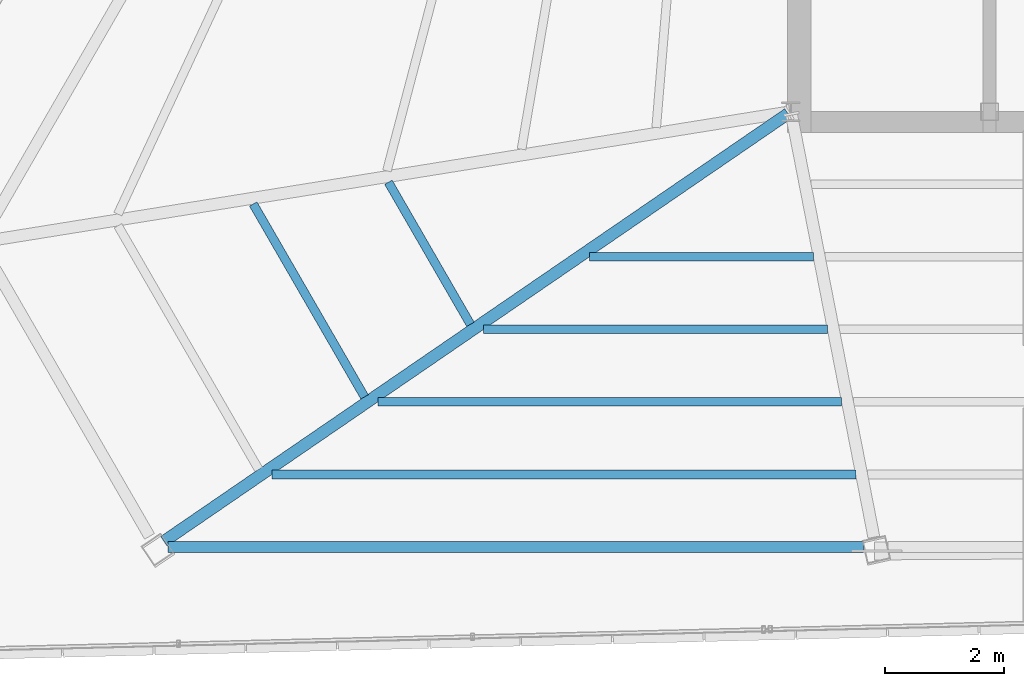
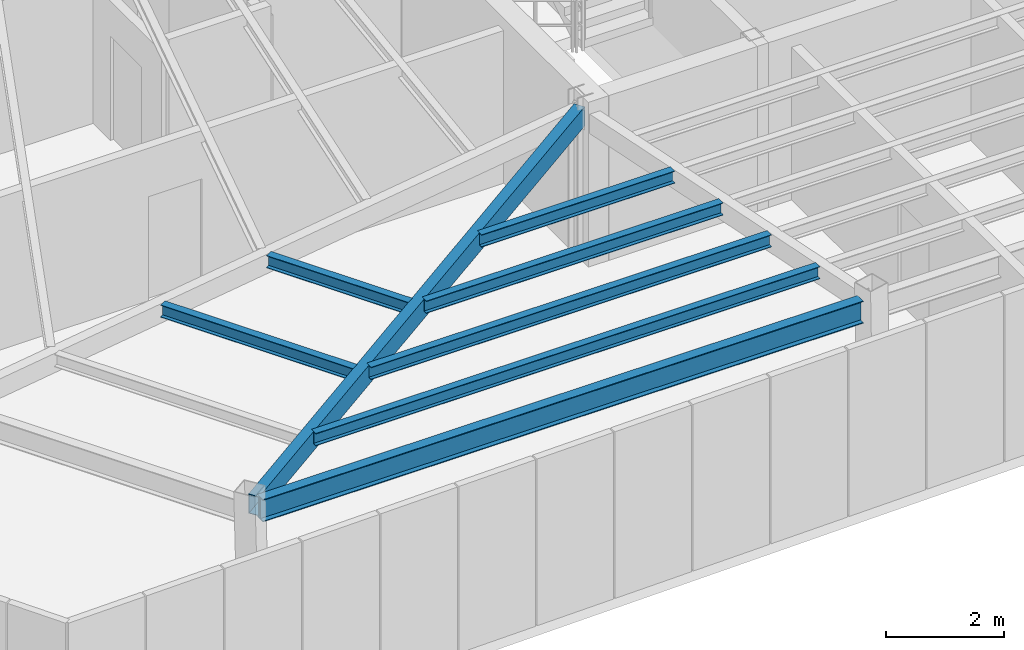
# One storey, part 6 of 44: 8 beams.
"""IFC4 building model written with IfcOpenShell, lengths in metres."""

import ifcopenshell
import ifcopenshell.guid

model = None  # the IFC model being written
_history = None  # IfcOwnerHistory: only IFC2X3 demands one
_inside = {}  # id of a spatial element -> (the spatial element, [elements in it])
_under = {}  # id of a project, library or spatial element -> (it, [spatial elements below it])
_declared = {}  # id of a project -> (the project, [libraries it declares])
_typed = {}  # id of a type object -> (the type object, [elements of that type])
_made_of = {}  # id of a material, layer set ... -> (it, [elements and type objects made of it])


def new_model(schema):
    """Start an empty IFC model of exactly this schema.

    Asked for "IFC4X3", IfcOpenShell would pick the latest addendum, in which some entities
    have other attributes; the version numbers below select the first issue.
    IFC2X3 requires an IfcOwnerHistory on every rooted entity: one is made here for all.
    """
    global model, _history
    if schema == "IFC4X3":
        model = ifcopenshell.file(schema_version=(4, 3, 0, 0))
    else:
        model = ifcopenshell.file(schema=schema)
    _inside.clear()
    _under.clear()
    _declared.clear()
    _typed.clear()
    _made_of.clear()
    _history = None
    if model.schema == "IFC2X3":
        org = make("IfcOrganization", Name="unknown")
        user = make(
            "IfcPersonAndOrganization",
            ThePerson=make("IfcPerson", FamilyName="unknown"),
            TheOrganization=org,
        )
        app = make(
            "IfcApplication",
            ApplicationDeveloper=org,
            Version="unknown",
            ApplicationFullName="unknown",
            ApplicationIdentifier="unknown",
        )
        _history = make(
            "IfcOwnerHistory",
            OwningUser=user,
            OwningApplication=app,
            ChangeAction="ADDED",
            CreationDate=0,
        )
    return model


def make(cls, **values):
    """One entity of the class cls with the attributes given. An attribute that is None is left unset."""
    return model.create_entity(
        cls, **{name: value for name, value in values.items() if value is not None}
    )


def rooted(cls, **values):
    """An entity with a GlobalId (a new one), such as an element, a storey or a relation."""
    return make(cls, GlobalId=ifcopenshell.guid.new(), OwnerHistory=_history, **values)


def si_unit(unit_type, name, prefix=None):
    """IfcSIUnit, for example si_unit("LENGTHUNIT", "METRE", prefix="MILLI")."""
    return make("IfcSIUnit", UnitType=unit_type, Prefix=prefix, Name=name)


def assignment(units):
    """IfcUnitAssignment: the units of a project."""
    return None if units is None else make("IfcUnitAssignment", Units=units)


def point(xyz):
    """IfcCartesianPoint."""
    return None if xyz is None else make("IfcCartesianPoint", Coordinates=xyz)


def direction(xyz):
    """IfcDirection."""
    return None if xyz is None else make("IfcDirection", DirectionRatios=xyz)


def frame(location, z_axis=None, x_axis=None):
    """IfcAxis2Placement3D, a coordinate frame: its origin and axes. An axis left out is left unset."""
    return make(
        "IfcAxis2Placement3D",
        Location=point(location),
        Axis=direction(z_axis),
        RefDirection=direction(x_axis),
    )


def frame_2d(location, x_axis=None):
    """IfcAxis2Placement2D, a coordinate frame in the plane: its origin and x axis."""
    return make(
        "IfcAxis2Placement2D", Location=point(location), RefDirection=direction(x_axis)
    )


def origin():
    """The frame at (0, 0, 0) with its axes left unset."""
    return frame((0.0, 0.0, 0.0))


def origin_2d():
    """The frame at (0, 0) in the plane with its x axis left unset."""
    return frame_2d((0.0, 0.0))


def place(relative_to, where):
    """IfcLocalPlacement: puts the frame where relative to a parent placement (None: the world)."""
    return make(
        "IfcLocalPlacement", PlacementRelTo=relative_to, RelativePlacement=where
    )


def context(
    kind, dimensions, precision=None, world=None, true_north=None, identifier=None
):
    """IfcGeometricRepresentationContext, for example the 3D "Model" context."""
    return make(
        "IfcGeometricRepresentationContext",
        ContextIdentifier=identifier,
        ContextType=kind,
        CoordinateSpaceDimension=dimensions,
        Precision=precision,
        WorldCoordinateSystem=world,
        TrueNorth=true_north,
    )


def subcontext(parent, identifier, kind, view, scale=None):
    """IfcGeometricRepresentationSubContext, for example "Body" below "Model"."""
    return make(
        "IfcGeometricRepresentationSubContext",
        ContextIdentifier=identifier,
        ContextType=kind,
        ParentContext=parent,
        TargetScale=scale,
        TargetView=view,
    )


def project(units=None, contexts=None):
    """IfcProject with its units and contexts."""
    return rooted(
        "IfcProject",
        Name="project",
        RepresentationContexts=contexts,
        UnitsInContext=assignment(units),
    )


def spatial(cls, under=None, at=None, **own):
    """A site, building, storey or space (cls), placed at a placement, below another one or the project."""
    s = rooted(cls, ObjectPlacement=at, **own)
    if under is not None:
        _under.setdefault(under.id(), (under, []))[1].append(s)
    return s


def profile(cls, at=None, kind="AREA", **sizes):
    """A parametric profile (cls). Its sizes go by their IFC names, for example OverallWidth=200.0."""
    return make(cls, ProfileType=kind, Position=at, **sizes)


def hollow_rectangle(**sizes):
    """IfcRectangleHollowProfileDef."""
    return profile("IfcRectangleHollowProfileDef", **sizes)


def i_section(**sizes):
    """IfcIShapeProfileDef."""
    return profile("IfcIShapeProfileDef", **sizes)


def extrude(swept, where, along, depth):
    """IfcExtrudedAreaSolid: the profile swept, set in the frame where, extruded along a direction by depth."""
    return make(
        "IfcExtrudedAreaSolid",
        SweptArea=swept,
        Position=where,
        ExtrudedDirection=direction(along),
        Depth=depth,
    )


def shape(context_of_items, identifier, shape_type, items):
    """IfcShapeRepresentation: the items that make up one representation, for example the "Body"."""
    return make(
        "IfcShapeRepresentation",
        ContextOfItems=context_of_items,
        RepresentationIdentifier=identifier,
        RepresentationType=shape_type,
        Items=items,
    )


def source(mapping_origin, context_of_items, identifier, shape_type, items):
    """IfcRepresentationMap: a shape defined once, which mapped items show again and again."""
    return make(
        "IfcRepresentationMap",
        MappingOrigin=mapping_origin,
        MappedRepresentation=shape(context_of_items, identifier, shape_type, items),
    )


def transform(
    local_origin,
    x_axis=None,
    y_axis=None,
    z_axis=None,
    scale=None,
    scale2=None,
    scale3=None,
    uniform=True,
):
    """IfcCartesianTransformationOperator3D, or its non-uniform kind. x_axis, y_axis, z_axis: its Axis1, 2, 3."""
    if uniform:
        return make(
            "IfcCartesianTransformationOperator3D",
            Axis1=direction(x_axis),
            Axis2=direction(y_axis),
            LocalOrigin=point(local_origin),
            Scale=scale,
            Axis3=direction(z_axis),
        )
    return make(
        "IfcCartesianTransformationOperator3DnonUniform",
        Axis1=direction(x_axis),
        Axis2=direction(y_axis),
        LocalOrigin=point(local_origin),
        Scale=scale,
        Axis3=direction(z_axis),
        Scale2=scale2,
        Scale3=scale3,
    )


def mapped(mapping_source, mapping_target):
    """IfcMappedItem: shows the shape of a source again, moved by a transform."""
    return make(
        "IfcMappedItem", MappingSource=mapping_source, MappingTarget=mapping_target
    )


def material(Name=None, Category=None):
    """IfcMaterial."""
    return make("IfcMaterial", Name=Name, Category=Category)


def material_profile(
    of_material, cross_section, Name=None, Category=None, Priority=None
):
    """IfcMaterialProfile: a cross section and its material."""
    return make(
        "IfcMaterialProfile",
        Name=Name,
        Material=of_material,
        Profile=cross_section,
        Priority=Priority,
        Category=Category,
    )


def profile_set(profiles, Name=None, composite=None):
    """IfcMaterialProfileSet."""
    return make(
        "IfcMaterialProfileSet",
        Name=Name,
        MaterialProfiles=profiles,
        CompositeProfile=composite,
    )


def made_of(thing, what):
    """Note that an element or type object is made of a material, layer set ...; save() writes the relation."""
    if what is not None:
        _made_of.setdefault(what.id(), (what, []))[1].append(thing)
    return thing


def type_object(cls, material=None, **own):
    """A type object (cls), such as IfcWallType, which elements share."""
    return made_of(rooted(cls, **own), material)


def type_shapes(of_type, sources):
    """Give a type object the sources (RepresentationMaps) that its elements show as mapped items."""
    of_type.RepresentationMaps = sources


def element(
    cls,
    number,
    at=None,
    inside=None,
    cuts=None,
    type_object=None,
    material=None,
    context=None,
    identifier="Body",
    shape_type=None,
    held_by="IfcProductDefinitionShape",
    body=None,
    shapes=None,
    **own,
):
    """One element of the class cls, such as IfcWall. Its Tag is "e" and its number.

    at: its placement. inside: the storey or other place that contains it. cuts: it is an
    opening in that element (IfcRelVoidsElement). A single representation is given by context,
    identifier, shape_type and body (its items); several are given by shapes. held_by: the class
    of the entity that holds the representations. save() writes the other relations.
    """
    e = rooted(cls, Tag="e%d" % number, ObjectPlacement=at, **own)
    if body is not None:
        shapes = [shape(context, identifier, shape_type, body)]
    if shapes is not None:
        e.Representation = make(held_by, Representations=shapes)
    if inside is not None:
        _inside.setdefault(inside.id(), (inside, []))[1].append(e)
    if cuts is not None:
        rooted(
            "IfcRelVoidsElement", RelatingBuildingElement=cuts, RelatedOpeningElement=e
        )
    if type_object is not None:
        _typed.setdefault(type_object.id(), (type_object, []))[1].append(e)
    return made_of(e, material)


def aggregate(whole, parts):
    """IfcRelAggregates: a whole, such as a stair, and the parts it consists of."""
    return rooted("IfcRelAggregates", RelatingObject=whole, RelatedObjects=parts)


def save(model, path):
    """Write the relations noted so far, then the file.

    IfcRelAggregates (storeys below a building ...), IfcRelContainedInSpatialStructure (elements
    in a storey), IfcRelDefinesByType, IfcRelAssociatesMaterial and IfcRelDeclares: one each for
    every whole, place, type object, material and project.
    """
    for whole, parts in _under.values():
        aggregate(whole, parts)
    for where, things in _inside.values():
        rooted(
            "IfcRelContainedInSpatialStructure",
            RelatedElements=things,
            RelatingStructure=where,
        )
    for kind, things in _typed.values():
        rooted("IfcRelDefinesByType", RelatedObjects=things, RelatingType=kind)
    for what, things in _made_of.values():
        rooted("IfcRelAssociatesMaterial", RelatedObjects=things, RelatingMaterial=what)
    for by, libraries in _declared.values():
        rooted("IfcRelDeclares", RelatingContext=by, RelatedDefinitions=libraries)
    model.write(path)


model = new_model("IFC4")

# Units and contexts
model_context = context("Model", 3, precision=1e-05, world=origin(), true_north=direction((0.0, 1.0)))
body_context = subcontext(model_context, "Body", "Model", "MODEL_VIEW")
ifc_project = project(units=[si_unit("LENGTHUNIT", "METRE"), si_unit("AREAUNIT", "SQUARE_METRE"), si_unit("VOLUMEUNIT", "CUBIC_METRE"), si_unit("PLANEANGLEUNIT", "RADIAN"), si_unit("MASSUNIT", "GRAM", prefix="KILO")], contexts=[model_context])

# Site, building, storey
site_placement = place(None, origin())
site = spatial("IfcSite", under=ifc_project, at=site_placement, CompositionType="ELEMENT")
building_placement = place(site_placement, origin())
building = spatial("IfcBuilding", under=site, at=building_placement, Name="Caelisora Broadcast Tower", CompositionType="ELEMENT")
storey_placement = place(building_placement, frame((0.0, 0.0, 289.800048828125)))
storey = spatial("IfcBuildingStorey", under=building, at=storey_placement, Name="L76", CompositionType="ELEMENT", Elevation=289.800048828125)

# Beams
ifc_material_1 = material(Name="Steel Grade 350 (AS/NZS 3679.1)", Category="steel")
ifc_material_profile_1 = material_profile(ifc_material_1, i_section(OverallWidth=0.19091796875, OverallDepth=0.46044921875, WebThickness=0.010009765625, FlangeThickness=0.01611328125, at=origin_2d()), Name="Steel Grade 350 (AS/NZS 3679.1)")
ifc_profile_set_1 = profile_set([ifc_material_profile_1], Name="Steel Grade 350 (AS/NZS 3679.1)")
beam_type_1 = type_object("IfcBeamType", Name="PG06", PredefinedType="BEAM", material=ifc_profile_set_1)
shared_shape_1 = source(origin(), body_context, "Body", "SweptSolid", [
    extrude(i_section(OverallWidth=0.19091796875, OverallDepth=0.46044921875, WebThickness=0.010009765625, FlangeThickness=0.01611328125, at=origin_2d()), origin(), (0.0, 0.0, 1.0), 11.7236328125),
])
type_shapes(beam_type_1, [shared_shape_1])
beam_1_placement = place(storey_placement, frame((19.99853515625, 10.060791015625, 2.919677734375), z_axis=(1.0, 0.0, 0.0), x_axis=(0.0, 1.0, 0.0)))
element("IfcBeam", 1, at=beam_1_placement, inside=storey, type_object=beam_type_1, Name="L76 beam PG06", PredefinedType="BEAM", context=body_context, shape_type="MappedRepresentation", body=[
    mapped(shared_shape_1, transform((0.0, 0.0, 0.0), scale=1.0)),
])
ifc_material_2 = material(Name="Steel Grade 350 (AS/NZS 1163 C350L0)", Category="steel")
ifc_material_profile_2 = material_profile(ifc_material_2, hollow_rectangle(XDim=0.199951171875, YDim=0.39990234375, WallThickness=0.012451171875, at=origin_2d()), Name="Steel Grade 350 (AS/NZS 1163 C350L0)")
ifc_profile_set_2 = profile_set([ifc_material_profile_2], Name="Steel Grade 350 (AS/NZS 1163 C350L0)")
beam_type_2 = type_object("IfcBeamType", Name="PG07", PredefinedType="BEAM", material=ifc_profile_set_2)
shared_shape_2 = source(origin(), body_context, "Body", "SweptSolid", [
    extrude(hollow_rectangle(XDim=0.199951171875, YDim=0.39990234375, WallThickness=0.012451171875, at=origin_2d()), origin(), (0.0, 0.0, 1.0), 12.7548828125),
])
type_shapes(beam_type_2, [shared_shape_2])
beam_2_placement = place(storey_placement, frame((30.450439453125, 17.3662109375, 2.949951171875), z_axis=(-0.824879314525, -0.565308868203, 0.0), x_axis=(0.565308868203, -0.824879314525, 0.0)))
element("IfcBeam", 2, at=beam_2_placement, inside=storey, type_object=beam_type_2, Name="L76 beam PG07", PredefinedType="BEAM", context=body_context, shape_type="MappedRepresentation", body=[
    mapped(shared_shape_2, transform((0.0, 0.0, 0.0), scale=1.0)),
])
ifc_material_profile_3 = material_profile(ifc_material_1, i_section(OverallWidth=0.14599609375, OverallDepth=0.256103515625, WebThickness=0.00634765625, FlangeThickness=0.010986328125, at=origin_2d()), Name="Steel Grade 350 (AS/NZS 3679.1)")
ifc_profile_set_3 = profile_set([ifc_material_profile_3], Name="Steel Grade 350 (AS/NZS 3679.1)")
beam_type_3 = type_object("IfcBeamType", Name="SB04", PredefinedType="JOIST", material=ifc_profile_set_3)
shared_shape_3 = source(origin(), body_context, "Body", "SweptSolid", [
    extrude(i_section(OverallWidth=0.14599609375, OverallDepth=0.256103515625, WebThickness=0.00634765625, FlangeThickness=0.010986328125, at=origin_2d()), origin(), (0.0, 0.0, 1.0), 2.765625),
])
beam_3_placement = place(storey_placement, frame((23.7138671875, 16.209716796875, 3.02197265625), z_axis=(0.500012835235, -0.866017993231, 0.0), x_axis=(0.866017993231, 0.500012835235, 0.0)))
element("IfcBeam", 3, at=beam_3_placement, inside=storey, type_object=beam_type_3, Name="L76 beam SB04", PredefinedType="JOIST", context=body_context, shape_type="MappedRepresentation", body=[
    mapped(shared_shape_3, transform((0.0, 0.0, 0.0), scale=1.0)),
])
shared_shape_4 = source(origin(), body_context, "Body", "SweptSolid", [
    extrude(i_section(OverallWidth=0.14599609375, OverallDepth=0.256103515625, WebThickness=0.00634765625, FlangeThickness=0.010986328125, at=origin_2d()), origin(), (0.0, 0.0, 1.0), 3.754638671875),
])
beam_4_placement = place(storey_placement, frame((21.434326171875, 15.843017578125, 3.02197265625), z_axis=(0.500041409633, -0.866001494602, 0.0), x_axis=(0.866001494602, 0.500041409633, 0.0)))
element("IfcBeam", 4, at=beam_4_placement, inside=storey, type_object=beam_type_3, Name="L76 beam SB04", PredefinedType="JOIST", context=body_context, shape_type="MappedRepresentation", body=[
    mapped(shared_shape_4, transform((0.0, 0.0, 0.0), scale=1.0)),
])
shared_shape_5 = source(origin(), body_context, "Body", "SweptSolid", [
    extrude(i_section(OverallWidth=0.14599609375, OverallDepth=0.256103515625, WebThickness=0.00634765625, FlangeThickness=0.010986328125, at=origin_2d()), origin(), (0.0, 0.0, 1.0), 3.773681640625),
])
beam_5_placement = place(storey_placement, frame((27.10400390625, 14.95361328125, 3.02197265625), z_axis=(1.0, 0.0, 0.0), x_axis=(0.0, 1.0, 0.0)))
element("IfcBeam", 5, at=beam_5_placement, inside=storey, type_object=beam_type_3, Name="L76 beam SB04", PredefinedType="JOIST", context=body_context, shape_type="MappedRepresentation", body=[
    mapped(shared_shape_5, transform((0.0, 0.0, 0.0), scale=1.0)),
])
shared_shape_6 = source(origin(), body_context, "Body", "SweptSolid", [
    extrude(i_section(OverallWidth=0.14599609375, OverallDepth=0.256103515625, WebThickness=0.00634765625, FlangeThickness=0.010986328125, at=origin_2d()), origin(), (0.0, 0.0, 1.0), 5.797119140625),
])
beam_6_placement = place(storey_placement, frame((25.319091796875, 13.73046875, 3.02197265625), z_axis=(1.0, 0.0, 0.0), x_axis=(0.0, 1.0, 0.0)))
element("IfcBeam", 6, at=beam_6_placement, inside=storey, type_object=beam_type_3, Name="L76 beam SB04", PredefinedType="JOIST", context=body_context, shape_type="MappedRepresentation", body=[
    mapped(shared_shape_6, transform((0.0, 0.0, 0.0), scale=1.0)),
])
shared_shape_7 = source(origin(), body_context, "Body", "SweptSolid", [
    extrude(i_section(OverallWidth=0.14599609375, OverallDepth=0.256103515625, WebThickness=0.00634765625, FlangeThickness=0.010986328125, at=origin_2d()), origin(), (0.0, 0.0, 1.0), 7.8203125),
])
beam_7_placement = place(storey_placement, frame((23.5341796875, 12.507080078125, 3.02197265625), z_axis=(1.0, 0.0, 0.0), x_axis=(0.0, 1.0, 0.0)))
element("IfcBeam", 7, at=beam_7_placement, inside=storey, type_object=beam_type_3, Name="L76 beam SB04", PredefinedType="JOIST", context=body_context, shape_type="MappedRepresentation", body=[
    mapped(shared_shape_7, transform((0.0, 0.0, 0.0), scale=1.0)),
])
shared_shape_8 = source(origin(), body_context, "Body", "SweptSolid", [
    extrude(i_section(OverallWidth=0.14599609375, OverallDepth=0.256103515625, WebThickness=0.00634765625, FlangeThickness=0.010986328125, at=origin_2d()), origin(), (0.0, 0.0, 1.0), 9.84375),
])
type_shapes(beam_type_3, [shared_shape_3, shared_shape_4, shared_shape_5, shared_shape_6, shared_shape_7, shared_shape_8])
beam_8_placement = place(storey_placement, frame((21.749267578125, 11.283935546875, 3.02197265625), z_axis=(1.0, 0.0, 0.0), x_axis=(0.0, 1.0, 0.0)))
element("IfcBeam", 8, at=beam_8_placement, inside=storey, type_object=beam_type_3, Name="L76 beam SB04", PredefinedType="JOIST", context=body_context, shape_type="MappedRepresentation", body=[
    mapped(shared_shape_8, transform((0.0, 0.0, 0.0), scale=1.0)),
])

save(model, "model.ifc")
